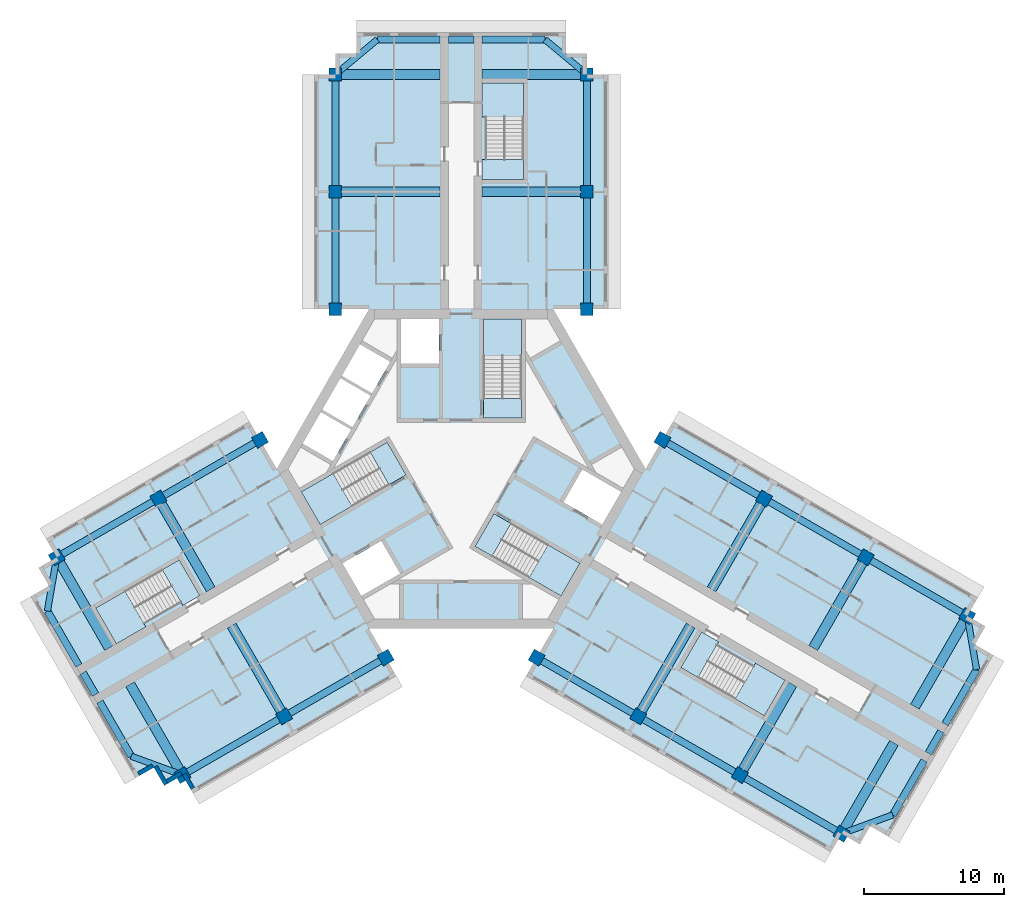
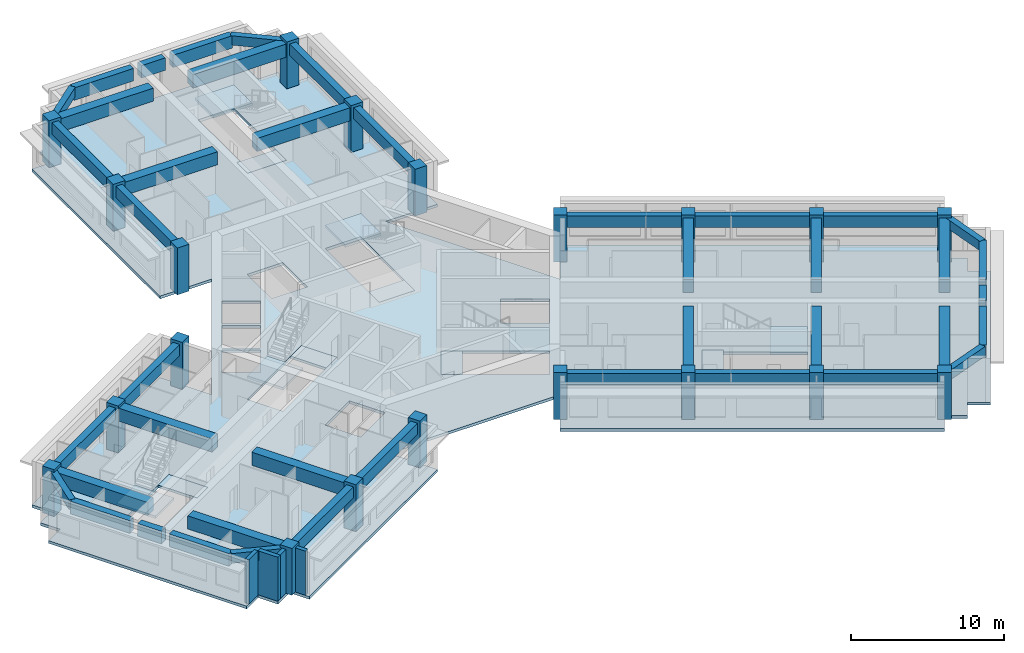
# One storey, part 1 of 10: 43 beams, 20 columns, 13 slabs, 4 walls, 6 elements without a shape of their own.
"""IFC4 building model written with IfcOpenShell, lengths in metres."""

import ifcopenshell
import ifcopenshell.guid

model = None  # the IFC model being written
_history = None  # IfcOwnerHistory: only IFC2X3 demands one
_inside = {}  # id of a spatial element -> (the spatial element, [elements in it])
_under = {}  # id of a project, library or spatial element -> (it, [spatial elements below it])
_declared = {}  # id of a project -> (the project, [libraries it declares])
_typed = {}  # id of a type object -> (the type object, [elements of that type])
_made_of = {}  # id of a material, layer set ... -> (it, [elements and type objects made of it])


def new_model(schema):
    """Start an empty IFC model of exactly this schema.

    Asked for "IFC4X3", IfcOpenShell would pick the latest addendum, in which some entities
    have other attributes; the version numbers below select the first issue.
    IFC2X3 requires an IfcOwnerHistory on every rooted entity: one is made here for all.
    """
    global model, _history
    if schema == "IFC4X3":
        model = ifcopenshell.file(schema_version=(4, 3, 0, 0))
    else:
        model = ifcopenshell.file(schema=schema)
    _inside.clear()
    _under.clear()
    _declared.clear()
    _typed.clear()
    _made_of.clear()
    _history = None
    if model.schema == "IFC2X3":
        org = make("IfcOrganization", Name="unknown")
        user = make(
            "IfcPersonAndOrganization",
            ThePerson=make("IfcPerson", FamilyName="unknown"),
            TheOrganization=org,
        )
        app = make(
            "IfcApplication",
            ApplicationDeveloper=org,
            Version="unknown",
            ApplicationFullName="unknown",
            ApplicationIdentifier="unknown",
        )
        _history = make(
            "IfcOwnerHistory",
            OwningUser=user,
            OwningApplication=app,
            ChangeAction="ADDED",
            CreationDate=0,
        )
    return model


def make(cls, **values):
    """One entity of the class cls with the attributes given. An attribute that is None is left unset."""
    return model.create_entity(
        cls, **{name: value for name, value in values.items() if value is not None}
    )


def rooted(cls, **values):
    """An entity with a GlobalId (a new one), such as an element, a storey or a relation."""
    return make(cls, GlobalId=ifcopenshell.guid.new(), OwnerHistory=_history, **values)


def si_unit(unit_type, name, prefix=None):
    """IfcSIUnit, for example si_unit("LENGTHUNIT", "METRE", prefix="MILLI")."""
    return make("IfcSIUnit", UnitType=unit_type, Prefix=prefix, Name=name)


def assignment(units):
    """IfcUnitAssignment: the units of a project."""
    return None if units is None else make("IfcUnitAssignment", Units=units)


def point(xyz):
    """IfcCartesianPoint."""
    return None if xyz is None else make("IfcCartesianPoint", Coordinates=xyz)


def direction(xyz):
    """IfcDirection."""
    return None if xyz is None else make("IfcDirection", DirectionRatios=xyz)


def frame(location, z_axis=None, x_axis=None):
    """IfcAxis2Placement3D, a coordinate frame: its origin and axes. An axis left out is left unset."""
    return make(
        "IfcAxis2Placement3D",
        Location=point(location),
        Axis=direction(z_axis),
        RefDirection=direction(x_axis),
    )


def frame_2d(location, x_axis=None):
    """IfcAxis2Placement2D, a coordinate frame in the plane: its origin and x axis."""
    return make(
        "IfcAxis2Placement2D", Location=point(location), RefDirection=direction(x_axis)
    )


def origin():
    """The frame at (0, 0, 0) with its axes left unset."""
    return frame((0.0, 0.0, 0.0))


def origin_2d():
    """The frame at (0, 0) in the plane with its x axis left unset."""
    return frame_2d((0.0, 0.0))


def place(relative_to, where):
    """IfcLocalPlacement: puts the frame where relative to a parent placement (None: the world)."""
    return make(
        "IfcLocalPlacement", PlacementRelTo=relative_to, RelativePlacement=where
    )


def context(
    kind, dimensions, precision=None, world=None, true_north=None, identifier=None
):
    """IfcGeometricRepresentationContext, for example the 3D "Model" context."""
    return make(
        "IfcGeometricRepresentationContext",
        ContextIdentifier=identifier,
        ContextType=kind,
        CoordinateSpaceDimension=dimensions,
        Precision=precision,
        WorldCoordinateSystem=world,
        TrueNorth=true_north,
    )


def subcontext(parent, identifier, kind, view, scale=None):
    """IfcGeometricRepresentationSubContext, for example "Body" below "Model"."""
    return make(
        "IfcGeometricRepresentationSubContext",
        ContextIdentifier=identifier,
        ContextType=kind,
        ParentContext=parent,
        TargetScale=scale,
        TargetView=view,
    )


def project(units=None, contexts=None):
    """IfcProject with its units and contexts."""
    return rooted(
        "IfcProject",
        Name="project",
        RepresentationContexts=contexts,
        UnitsInContext=assignment(units),
    )


def spatial(cls, under=None, at=None, **own):
    """A site, building, storey or space (cls), placed at a placement, below another one or the project."""
    s = rooted(cls, ObjectPlacement=at, **own)
    if under is not None:
        _under.setdefault(under.id(), (under, []))[1].append(s)
    return s


def polyline(points):
    """IfcPolyline through the points."""
    return make("IfcPolyline", Points=[point(p) for p in points])


def profile(cls, at=None, kind="AREA", **sizes):
    """A parametric profile (cls). Its sizes go by their IFC names, for example OverallWidth=200.0."""
    return make(cls, ProfileType=kind, Position=at, **sizes)


def rectangle(**sizes):
    """IfcRectangleProfileDef."""
    return profile("IfcRectangleProfileDef", **sizes)


def outline(outer, holes=None, kind="AREA"):
    """IfcArbitraryClosedProfileDef: a profile drawn as a closed curve; with holes, ...WithVoids."""
    if holes is None:
        return make("IfcArbitraryClosedProfileDef", ProfileType=kind, OuterCurve=outer)
    return make(
        "IfcArbitraryProfileDefWithVoids",
        ProfileType=kind,
        OuterCurve=outer,
        InnerCurves=holes,
    )


def extrude(swept, where, along, depth):
    """IfcExtrudedAreaSolid: the profile swept, set in the frame where, extruded along a direction by depth."""
    return make(
        "IfcExtrudedAreaSolid",
        SweptArea=swept,
        Position=where,
        ExtrudedDirection=direction(along),
        Depth=depth,
    )


def shape(context_of_items, identifier, shape_type, items):
    """IfcShapeRepresentation: the items that make up one representation, for example the "Body"."""
    return make(
        "IfcShapeRepresentation",
        ContextOfItems=context_of_items,
        RepresentationIdentifier=identifier,
        RepresentationType=shape_type,
        Items=items,
    )


def material(Name=None, Category=None):
    """IfcMaterial."""
    return make("IfcMaterial", Name=Name, Category=Category)


def layer(
    of_material, thickness, ventilated=None, Name=None, Category=None, Priority=None
):
    """IfcMaterialLayer: one layer of a wall or slab, of a material (None: an air gap)."""
    return make(
        "IfcMaterialLayer",
        Material=of_material,
        LayerThickness=thickness,
        IsVentilated=ventilated,
        Name=Name,
        Category=Category,
        Priority=Priority,
    )


def layer_set(layers, Name=None):
    """IfcMaterialLayerSet."""
    return make("IfcMaterialLayerSet", MaterialLayers=layers, LayerSetName=Name)


def material_profile(
    of_material, cross_section, Name=None, Category=None, Priority=None
):
    """IfcMaterialProfile: a cross section and its material."""
    return make(
        "IfcMaterialProfile",
        Name=Name,
        Material=of_material,
        Profile=cross_section,
        Priority=Priority,
        Category=Category,
    )


def profile_set(profiles, Name=None, composite=None):
    """IfcMaterialProfileSet."""
    return make(
        "IfcMaterialProfileSet",
        Name=Name,
        MaterialProfiles=profiles,
        CompositeProfile=composite,
    )


def made_of(thing, what):
    """Note that an element or type object is made of a material, layer set ...; save() writes the relation."""
    if what is not None:
        _made_of.setdefault(what.id(), (what, []))[1].append(thing)
    return thing


def type_object(cls, material=None, **own):
    """A type object (cls), such as IfcWallType, which elements share."""
    return made_of(rooted(cls, **own), material)


def element(
    cls,
    number,
    at=None,
    inside=None,
    cuts=None,
    type_object=None,
    material=None,
    context=None,
    identifier="Body",
    shape_type=None,
    held_by="IfcProductDefinitionShape",
    body=None,
    shapes=None,
    **own,
):
    """One element of the class cls, such as IfcWall. Its Tag is "e" and its number.

    at: its placement. inside: the storey or other place that contains it. cuts: it is an
    opening in that element (IfcRelVoidsElement). A single representation is given by context,
    identifier, shape_type and body (its items); several are given by shapes. held_by: the class
    of the entity that holds the representations. save() writes the other relations.
    """
    e = rooted(cls, Tag="e%d" % number, ObjectPlacement=at, **own)
    if body is not None:
        shapes = [shape(context, identifier, shape_type, body)]
    if shapes is not None:
        e.Representation = make(held_by, Representations=shapes)
    if inside is not None:
        _inside.setdefault(inside.id(), (inside, []))[1].append(e)
    if cuts is not None:
        rooted(
            "IfcRelVoidsElement", RelatingBuildingElement=cuts, RelatedOpeningElement=e
        )
    if type_object is not None:
        _typed.setdefault(type_object.id(), (type_object, []))[1].append(e)
    return made_of(e, material)


def aggregate(whole, parts):
    """IfcRelAggregates: a whole, such as a stair, and the parts it consists of."""
    return rooted("IfcRelAggregates", RelatingObject=whole, RelatedObjects=parts)


def save(model, path):
    """Write the relations noted so far, then the file.

    IfcRelAggregates (storeys below a building ...), IfcRelContainedInSpatialStructure (elements
    in a storey), IfcRelDefinesByType, IfcRelAssociatesMaterial and IfcRelDeclares: one each for
    every whole, place, type object, material and project.
    """
    for whole, parts in _under.values():
        aggregate(whole, parts)
    for where, things in _inside.values():
        rooted(
            "IfcRelContainedInSpatialStructure",
            RelatedElements=things,
            RelatingStructure=where,
        )
    for kind, things in _typed.values():
        rooted("IfcRelDefinesByType", RelatedObjects=things, RelatingType=kind)
    for what, things in _made_of.values():
        rooted("IfcRelAssociatesMaterial", RelatedObjects=things, RelatingMaterial=what)
    for by, libraries in _declared.values():
        rooted("IfcRelDeclares", RelatingContext=by, RelatedDefinitions=libraries)
    model.write(path)


model = new_model("IFC4")

# Units and contexts
model_context = context("Model", 3, precision=1e-05, world=origin(), true_north=direction((0.0, 1.0)))
body_context = subcontext(model_context, "Body", "Model", "MODEL_VIEW")
ifc_project = project(units=[si_unit("LENGTHUNIT", "METRE"), si_unit("AREAUNIT", "SQUARE_METRE"), si_unit("VOLUMEUNIT", "CUBIC_METRE"), si_unit("PLANEANGLEUNIT", "RADIAN"), si_unit("MASSUNIT", "GRAM", prefix="KILO")], contexts=[model_context])

# Site, building, storey
site_placement = place(None, origin())
site = spatial("IfcSite", under=ifc_project, at=site_placement, CompositionType="ELEMENT")
building_placement = place(site_placement, origin())
building = spatial("IfcBuilding", under=site, at=building_placement, Name="Impinga Residences", CompositionType="ELEMENT")
storey_placement = place(building_placement, frame((0.0, 0.0, 222.25)))
storey = spatial("IfcBuildingStorey", under=building, at=storey_placement, Name="L55", CompositionType="ELEMENT", Elevation=222.25)

# Columns
ifc_material_1 = material(Name="Concrete C60/75", Category="concrete")
ifc_material_profile_1 = material_profile(ifc_material_1, rectangle(XDim=0.89990234375, YDim=0.89990234375, at=origin_2d()), Name="RC 900x900")
ifc_profile_set_1 = profile_set([ifc_material_profile_1], Name="Concrete C60/75")
column_type = type_object("IfcColumnType", Name="C4 900x900 column", PredefinedType="COLUMN", material=ifc_profile_set_1)
for number, where, z_axis, x_axis, name in (
    (1, (-9.0, 11.431640625, 0.0), (0.0, 0.0, 1.0), (1.0, 0.0, 0.0), "Column C4 N1/NA L55"),
    (2, (9.0, 11.431640625, 0.0), (0.0, 0.0, 1.0), (1.0, 0.0, 0.0), "Column C4 N1/NF L55"),
    (3, (-9.0, 19.83154296875, 0.0), (0.0, 0.0, 1.0), (1.0, 0.0, 0.0), "Column C4 N2/NA L55"),
    (4, (9.0, 19.83154296875, 0.0), (0.0, 0.0, 1.0), (1.0, 0.0, 0.0), "Column C4 N2/NF L55"),
    (5, (-9.0, 28.2314453125, 0.0), (0.0, 0.0, 1.0), (1.0, 0.0, 0.0), "Column C4 N3/NA L55"),
    (6, (9.0, 28.2314453125, 0.0), (0.0, 0.0, 1.0), (1.0, 0.0, 0.0), "Column C4 N3/NF L55"),
    (7, (-5.39990234375, -13.510009765625, 0.0), (0.0, 0.0, 1.0), (-0.5, 0.866025403784, 0.0), "Column C4 W1/WA L55"),
    (8, (-14.39990234375, 2.078369140625, 0.0), (0.0, 0.0, 1.0), (-0.5, 0.866025403784, 0.0), "Column C4 W1/WF L55"),
    (9, (-12.674560546875, -17.7099609375, 0.0), (0.0, 0.0, 1.0), (-0.5, 0.866025403784, 0.0), "Column C4 W2/WA L55"),
    (10, (-21.674560546875, -2.12158203125, 0.0), (0.0, 0.0, 1.0), (-0.5, 0.866025403784, 0.0), "Column C4 W2/WF L55"),
    (11, (-19.94921875, -21.909912109375, 0.0), (0.0, 0.0, 1.0), (-0.5, 0.866025403784, 0.0), "Column C4 W3/WA L55"),
    (12, (-28.94921875, -6.321533203125, 0.0), (0.0, 0.0, 1.0), (-0.5, 0.866025403784, 0.0), "Column C4 W3/WF L55"),
    (13, (14.39990234375, 2.078369140625, 0.0), (0.0, 0.0, 1.0), (-0.5, -0.866025403784, 0.0), "Column C4 E1/EA L55"),
    (14, (5.39990234375, -13.510009765625, 0.0), (0.0, 0.0, 1.0), (-0.5, -0.866025403784, 0.0), "Column C4 E1/EF L55"),
    (15, (21.674560546875, -2.12158203125, 0.0), (0.0, 0.0, 1.0), (-0.5, -0.866025403784, 0.0), "Column C4 E2/EA L55"),
    (16, (12.674560546875, -17.7099609375, 0.0), (0.0, 0.0, 1.0), (-0.5, -0.866025403784, 0.0), "Column C4 E2/EF L55"),
    (17, (28.94921875, -6.321533203125, 0.0), (0.0, 0.0, 1.0), (-0.5, -0.866025403784, 0.0), "Column C4 E3/EA L55"),
    (18, (19.94921875, -21.909912109375, 0.0), (0.0, 0.0, 1.0), (-0.5, -0.866025403784, 0.0), "Column C4 E3/EF L55"),
    (19, (36.223876953125, -10.521484375, 0.0), (0.0, 0.0, 1.0), (-0.5, -0.866025403784, 0.0), "Column C4 E4/EA L55"),
    (20, (27.223876953125, -26.110107421875, 0.0), (0.0, 0.0, 1.0), (-0.5, -0.866025403784, 0.0), "Column C4 E4/EF L55"),
):
    element("IfcColumn", number, at=place(storey_placement, frame(where, z_axis=z_axis, x_axis=x_axis)), inside=storey, type_object=column_type, Name=name, PredefinedType="COLUMN", context=body_context, shape_type="SweptSolid", body=[
        extrude(rectangle(XDim=0.89990234375, YDim=0.89990234375, at=origin_2d()), origin(), (0.0, 0.0, 1.0), 3.75),
    ])

# Beams
ifc_material_profile_2 = material_profile(ifc_material_1, rectangle(XDim=0.449951171875, YDim=0.75, at=origin_2d()), Name="RC 450x750")
ifc_profile_set_2 = profile_set([ifc_material_profile_2], Name="Concrete C60/75")
beam_type_1 = type_object("IfcBeamType", Name="CB1 450x750 wing end cantilever beam", PredefinedType="BEAM", material=ifc_profile_set_2)
for number, where, z_axis, x_axis, name in (
    (21, (-9.0, 28.2314453125, 3.155029296875), (0.768221279597, 0.640184399664, 0.0), (-0.640184399664, 0.768221279597, 0.0), "Beam CB1 NB N3-NX level L56"),
    (22, (9.0, 28.2314453125, 3.155029296875), (-0.768221279597, 0.640184399664, 0.0), (-0.640184399664, -0.768221279597, 0.0), "Beam CB1 NE N3-NX level L56"),
    (23, (-19.94921875, -21.909912109375, 3.155029296875), (-0.93854043338, 0.345169313396, 0.0), (-0.345169313396, -0.93854043338, 0.0), "Beam CB1 WB W3-WX level L56"),
):
    element("IfcBeam", number, at=place(storey_placement, frame(where, z_axis=z_axis, x_axis=x_axis)), inside=storey, type_object=beam_type_1, Name=name, PredefinedType="BEAM", context=body_context, shape_type="SweptSolid", body=[
        extrude(rectangle(XDim=0.449951171875, YDim=0.75, at=origin_2d()), origin(), (0.0, 0.0, 1.0), 3.905029296875),
    ])
for number, where, z_axis, x_axis, name in (
    (24, (-28.94921875, -6.321533203125, 3.155029296875), (-0.170296298948, -0.985392901621, 0.0), (0.985392901621, -0.170296298948, 0.0), "Beam CB1 WE W3-WX level L56"),
    (25, (36.223876953125, -10.521484375, 3.155029296875), (0.170296298948, -0.985392901621, 0.0), (0.985392901621, 0.170296298948, 0.0), "Beam CB1 EB E4-EX level L56"),
):
    element("IfcBeam", number, at=place(storey_placement, frame(where, z_axis=z_axis, x_axis=x_axis)), inside=storey, type_object=beam_type_1, Name=name, PredefinedType="BEAM", context=body_context, shape_type="SweptSolid", body=[
        extrude(rectangle(XDim=0.449951171875, YDim=0.75, at=origin_2d()), origin(), (0.0, 0.0, 1.0), 3.9052734375),
    ])
beam_1_placement = place(storey_placement, frame((27.223876953125, -26.110107421875, 3.155029296875), z_axis=(0.938520178725, 0.345224382289, 0.0), x_axis=(-0.345224382289, 0.938520178725, 0.0)))
element("IfcBeam", 26, at=beam_1_placement, inside=storey, type_object=beam_type_1, Name="Beam CB1 EE E4-EX level L56", PredefinedType="BEAM", context=body_context, shape_type="SweptSolid", body=[
    extrude(rectangle(XDim=0.449951171875, YDim=0.75, at=origin_2d()), origin(), (0.0, 0.0, 1.0), 3.905029296875),
])
ifc_material_profile_3 = material_profile(ifc_material_1, rectangle(XDim=0.699951171875, YDim=1.050048828125, at=origin_2d()), Name="RC 700x1050")
ifc_profile_set_3 = profile_set([ifc_material_profile_3], Name="Concrete C60/75")
beam_type_2 = type_object("IfcBeamType", Name="CG1 700x1050 cross girder on a wing bay line", PredefinedType="BEAM", material=ifc_profile_set_3)
for number, where, z_axis, x_axis, name in (
    (27, (-1.5, 19.83154296875, 3.0048828125), (-1.0, 0.0, 0.0), (0.0, -1.0, 0.0), "Beam CG1 N2 NC/NA level L56"),
    (28, (-1.5, 28.2314453125, 3.0048828125), (-1.0, 0.0, 0.0), (0.0, -1.0, 0.0), "Beam CG1 N3 NC/NA level L56"),
    (29, (1.5, 19.83154296875, 3.0048828125), (1.0, 0.0, 0.0), (0.0, 1.0, 0.0), "Beam CG1 N2 NC/NF level L56"),
    (30, (1.5, 28.2314453125, 3.0048828125), (1.0, 0.0, 0.0), (0.0, 1.0, 0.0), "Beam CG1 N3 NC/NF level L56"),
    (31, (-16.424560546875, -11.21484375, 3.0048828125), (0.500004234368, -0.866022959057, 0.0), (0.866022959057, 0.500004234368, 0.0), "Beam CG1 W2 WC/WA level L56"),
    (32, (-23.69921875, -15.414794921875, 3.0048828125), (0.500004234368, -0.866022959057, 0.0), (0.866022959057, 0.500004234368, 0.0), "Beam CG1 W3 WC/WA level L56"),
    (33, (-17.924560546875, -8.61669921875, 3.0048828125), (-0.500004234368, 0.866022959057, 0.0), (-0.866022959057, -0.500004234368, 0.0), "Beam CG1 W2 WC/WF level L56"),
    (34, (-25.19921875, -12.816650390625, 3.0048828125), (-0.500004234368, 0.866022959057, 0.0), (-0.866022959057, -0.500004234368, 0.0), "Beam CG1 W3 WC/WF level L56"),
    (35, (17.924560546875, -8.61669921875, 3.0048828125), (0.500004234368, 0.866022959057, 0.0), (-0.866022959057, 0.500004234368, 0.0), "Beam CG1 E2 EC/EA level L56"),
    (36, (25.19921875, -12.816650390625, 3.0048828125), (0.500004234368, 0.866022959057, 0.0), (-0.866022959057, 0.500004234368, 0.0), "Beam CG1 E3 EC/EA level L56"),
):
    element("IfcBeam", number, at=place(storey_placement, frame(where, z_axis=z_axis, x_axis=x_axis)), inside=storey, type_object=beam_type_2, Name=name, PredefinedType="BEAM", context=body_context, shape_type="SweptSolid", body=[
        extrude(rectangle(XDim=0.699951171875, YDim=1.050048828125, at=origin_2d()), origin(), (0.0, 0.0, 1.0), 7.5),
    ])
beam_2_placement = place(storey_placement, frame((32.473876953125, -17.016845703125, 3.0048828125), z_axis=(0.499990139034, 0.866031096941, 0.0), x_axis=(-0.866031096941, 0.499990139034, 0.0)))
element("IfcBeam", 37, at=beam_2_placement, inside=storey, type_object=beam_type_2, Name="Beam CG1 E4 EC/EA level L56", PredefinedType="BEAM", context=body_context, shape_type="SweptSolid", body=[
    extrude(rectangle(XDim=0.699951171875, YDim=1.050048828125, at=origin_2d()), origin(), (0.0, 0.0, 1.0), 7.500244140625),
])
for number, where, z_axis, x_axis, name in (
    (38, (16.424560546875, -11.21484375, 3.0048828125), (-0.500004234368, -0.866022959057, 0.0), (0.866022959057, -0.500004234368, 0.0), "Beam CG1 E2 EC/EF level L56"),
    (39, (23.69921875, -15.414794921875, 3.0048828125), (-0.500004234368, -0.866022959057, 0.0), (0.866022959057, -0.500004234368, 0.0), "Beam CG1 E3 EC/EF level L56"),
):
    element("IfcBeam", number, at=place(storey_placement, frame(where, z_axis=z_axis, x_axis=x_axis)), inside=storey, type_object=beam_type_2, Name=name, PredefinedType="BEAM", context=body_context, shape_type="SweptSolid", body=[
        extrude(rectangle(XDim=0.699951171875, YDim=1.050048828125, at=origin_2d()), origin(), (0.0, 0.0, 1.0), 7.5),
    ])
beam_3_placement = place(storey_placement, frame((30.973876953125, -19.61474609375, 3.0048828125), z_axis=(-0.499990139034, -0.866031096941, 0.0), x_axis=(0.866031096941, -0.499990139034, 0.0)))
element("IfcBeam", 40, at=beam_3_placement, inside=storey, type_object=beam_type_2, Name="Beam CG1 E4 EC/EF level L56", PredefinedType="BEAM", context=body_context, shape_type="SweptSolid", body=[
    extrude(rectangle(XDim=0.699951171875, YDim=1.050048828125, at=origin_2d()), origin(), (0.0, 0.0, 1.0), 7.500244140625),
])
ifc_material_profile_4 = material_profile(ifc_material_1, rectangle(XDim=0.5, YDim=1.0, at=origin_2d()), Name="RC 500x1000")
ifc_profile_set_4 = profile_set([ifc_material_profile_4], Name="Concrete C60/75")
beam_type_3 = type_object("IfcBeamType", Name="EB1 500x1000 wing end beam", PredefinedType="BEAM", material=ifc_profile_set_4)
beam_4_placement = place(storey_placement, frame((-6.0, 30.7314453125, 3.030029296875), z_axis=(1.0, 0.0, 0.0), x_axis=(0.0, 1.0, 0.0)))
element("IfcBeam", 41, at=beam_4_placement, inside=storey, type_object=beam_type_3, Name="Beam EB1 NX2 level L56", PredefinedType="BEAM", context=body_context, shape_type="SweptSolid", body=[
    extrude(rectangle(XDim=0.5, YDim=1.0, at=origin_2d()), origin(), (0.0, 0.0, 1.0), 4.5),
])
beam_5_placement = place(storey_placement, frame((-0.89990234375, 30.7314453125, 3.030029296875), z_axis=(1.0, 0.0, 0.0), x_axis=(0.0, 1.0, 0.0)))
element("IfcBeam", 42, at=beam_5_placement, inside=storey, type_object=beam_type_3, Name="Beam EB1 NX2 level L56", PredefinedType="BEAM", context=body_context, shape_type="SweptSolid", body=[
    extrude(rectangle(XDim=0.5, YDim=1.0, at=origin_2d()), origin(), (0.0, 0.0, 1.0), 1.7998046875),
])
for number, where, z_axis, x_axis, name in (
    (43, (1.5, 30.7314453125, 3.030029296875), (1.0, 0.0, 0.0), (0.0, 1.0, 0.0), "Beam EB1 NX2 level L56"),
    (44, (-23.6142578125, -20.56201171875, 3.030029296875), (-0.499990139034, 0.866031096941, 0.0), (-0.866031096941, -0.499990139034, 0.0), "Beam EB1 WX2 level L56"),
):
    element("IfcBeam", number, at=place(storey_placement, frame(where, z_axis=z_axis, x_axis=x_axis)), inside=storey, type_object=beam_type_3, Name=name, PredefinedType="BEAM", context=body_context, shape_type="SweptSolid", body=[
        extrude(rectangle(XDim=0.5, YDim=1.0, at=origin_2d()), origin(), (0.0, 0.0, 1.0), 4.5),
    ])
beam_6_placement = place(storey_placement, frame((-26.164306640625, -16.145263671875, 3.030029296875), z_axis=(-0.499961193289, 0.866047807691, 0.0), x_axis=(-0.866047807691, -0.499961193289, 0.0)))
element("IfcBeam", 45, at=beam_6_placement, inside=storey, type_object=beam_type_3, Name="Beam EB1 WX2 level L56", PredefinedType="BEAM", context=body_context, shape_type="SweptSolid", body=[
    extrude(rectangle(XDim=0.5, YDim=1.0, at=origin_2d()), origin(), (0.0, 0.0, 1.0), 1.800048828125),
])
beam_7_placement = place(storey_placement, frame((-27.3642578125, -14.066650390625, 3.030029296875), z_axis=(-0.500013631625, 0.866017533419, 0.0), x_axis=(-0.866017533419, -0.500013631625, 0.0)))
element("IfcBeam", 46, at=beam_7_placement, inside=storey, type_object=beam_type_3, Name="Beam EB1 WX2 level L56", PredefinedType="BEAM", context=body_context, shape_type="SweptSolid", body=[
    extrude(rectangle(XDim=0.5, YDim=1.0, at=origin_2d()), origin(), (0.0, 0.0, 1.0), 4.499755859375),
])
beam_8_placement = place(storey_placement, frame((36.888916015625, -14.36962890625, 3.030029296875), z_axis=(-0.499990139034, -0.866031096941, 0.0), x_axis=(0.866031096941, -0.499990139034, 0.0)))
element("IfcBeam", 47, at=beam_8_placement, inside=storey, type_object=beam_type_3, Name="Beam EB1 EX3 level L56", PredefinedType="BEAM", context=body_context, shape_type="SweptSolid", body=[
    extrude(rectangle(XDim=0.5, YDim=1.0, at=origin_2d()), origin(), (0.0, 0.0, 1.0), 4.5),
])
beam_9_placement = place(storey_placement, frame((34.3388671875, -18.786376953125, 3.030029296875), z_axis=(-0.499961193289, -0.866047807691, 0.0), x_axis=(0.866047807691, -0.499961193289, 0.0)))
element("IfcBeam", 48, at=beam_9_placement, inside=storey, type_object=beam_type_3, Name="Beam EB1 EX3 level L56", PredefinedType="BEAM", context=body_context, shape_type="SweptSolid", body=[
    extrude(rectangle(XDim=0.5, YDim=1.0, at=origin_2d()), origin(), (0.0, 0.0, 1.0), 1.800048828125),
])
beam_10_placement = place(storey_placement, frame((33.138916015625, -20.86474609375, 3.030029296875), z_axis=(-0.499990139034, -0.866031096941, 0.0), x_axis=(0.866031096941, -0.499990139034, 0.0)))
element("IfcBeam", 49, at=beam_10_placement, inside=storey, type_object=beam_type_3, Name="Beam EB1 EX3 level L56", PredefinedType="BEAM", context=body_context, shape_type="SweptSolid", body=[
    extrude(rectangle(XDim=0.5, YDim=1.0, at=origin_2d()), origin(), (0.0, 0.0, 1.0), 4.5),
])
ifc_material_profile_5 = material_profile(ifc_material_1, rectangle(XDim=0.5, YDim=0.89990234375, at=origin_2d()), Name="RC 500x900")
ifc_profile_set_5 = profile_set([ifc_material_profile_5], Name="Concrete C60/75")
beam_type_4 = type_object("IfcBeamType", Name="SB1 500x900 perimeter spandrel beam", PredefinedType="SPANDREL", material=ifc_profile_set_5)
for number, where, z_axis, x_axis, name in (
    (50, (-9.0, 11.431640625, 3.080078125), (0.0, 1.0, 0.0), (-1.0, 0.0, 0.0), "Beam SB1 NA N1-N2 level L56"),
    (51, (-9.0, 19.83154296875, 3.080078125), (0.0, 1.0, 0.0), (-1.0, 0.0, 0.0), "Beam SB1 NA N2-N3 level L56"),
    (52, (9.0, 11.431640625, 3.080078125), (0.0, 1.0, 0.0), (-1.0, 0.0, 0.0), "Beam SB1 NF N1-N2 level L56"),
    (53, (9.0, 19.83154296875, 3.080078125), (0.0, 1.0, 0.0), (-1.0, 0.0, 0.0), "Beam SB1 NF N2-N3 level L56"),
    (54, (-5.39990234375, -13.510009765625, 3.080078125), (-0.86602925447, -0.499993330357, 0.0), (0.499993330357, -0.86602925447, 0.0), "Beam SB1 WA W1-W2 level L56"),
    (55, (-12.674560546875, -17.7099609375, 3.080078125), (-0.86602925447, -0.499993330357, 0.0), (0.499993330357, -0.86602925447, 0.0), "Beam SB1 WA W2-W3 level L56"),
    (56, (-14.39990234375, 2.078369140625, 3.080078125), (-0.86602925447, -0.499993330357, 0.0), (0.499993330357, -0.86602925447, 0.0), "Beam SB1 WF W1-W2 level L56"),
    (57, (-21.674560546875, -2.12158203125, 3.080078125), (-0.86602925447, -0.499993330357, 0.0), (0.499993330357, -0.86602925447, 0.0), "Beam SB1 WF W2-W3 level L56"),
    (58, (14.39990234375, 2.078369140625, 3.080078125), (0.86602925447, -0.499993330357, 0.0), (0.499993330357, 0.86602925447, 0.0), "Beam SB1 EA E1-E2 level L56"),
    (59, (21.674560546875, -2.12158203125, 3.080078125), (0.86602925447, -0.499993330357, 0.0), (0.499993330357, 0.86602925447, 0.0), "Beam SB1 EA E2-E3 level L56"),
    (60, (28.94921875, -6.321533203125, 3.080078125), (0.86602925447, -0.499993330357, 0.0), (0.499993330357, 0.86602925447, 0.0), "Beam SB1 EA E3-E4 level L56"),
    (61, (5.39990234375, -13.510009765625, 3.080078125), (0.86602925447, -0.499993330357, 0.0), (0.499993330357, 0.86602925447, 0.0), "Beam SB1 EF E1-E2 level L56"),
    (62, (12.674560546875, -17.7099609375, 3.080078125), (0.86602925447, -0.499993330357, 0.0), (0.499993330357, 0.86602925447, 0.0), "Beam SB1 EF E2-E3 level L56"),
):
    element("IfcBeam", number, at=place(storey_placement, frame(where, z_axis=z_axis, x_axis=x_axis)), inside=storey, type_object=beam_type_4, Name=name, PredefinedType="SPANDREL", context=body_context, shape_type="SweptSolid", body=[
        extrude(rectangle(XDim=0.5, YDim=0.89990234375, at=origin_2d()), origin(), (0.0, 0.0, 1.0), 8.39990234375),
    ])
beam_11_placement = place(storey_placement, frame((19.94921875, -21.909912109375, 3.080078125), z_axis=(0.866016669275, -0.500015128309, 0.0), x_axis=(0.500015128309, 0.866016669275, 0.0)))
element("IfcBeam", 63, at=beam_11_placement, inside=storey, type_object=beam_type_4, Name="Beam SB1 EF E3-E4 level L56", PredefinedType="SPANDREL", context=body_context, shape_type="SweptSolid", body=[
    extrude(rectangle(XDim=0.5, YDim=0.89990234375, at=origin_2d()), origin(), (0.0, 0.0, 1.0), 8.400146484375),
])

# Slab
ifc_layer_1 = layer(ifc_material_1, 0.219970703125)
ifc_layer_set_1 = layer_set([ifc_layer_1], Name="Concrete C60/75")
slab_type_1 = type_object("IfcSlabType", Name="FS1 tower floor slab 220", PredefinedType="FLOOR", material=ifc_layer_set_1)
slab_1_placement = place(storey_placement, frame((0.0, 0.0, -0.219970703125)))
element("IfcSlab", 64, at=slab_1_placement, inside=storey, type_object=slab_type_1, Name="Floor slab FS1 L55", PredefinedType="FLOOR", context=body_context, shape_type="SweptSolid", body=[
    extrude(outline(polyline([(36.223876953125, -10.521484375), (37.52294921875, -11.271484375), (36.77294921875, -12.570556640625), (38.072021484375, -13.320556640625), (30.572021484375, -26.31103515625), (29.27294921875, -25.56103515625), (28.52294921875, -26.860107421875), (27.223876953125, -26.110107421875), (26.473876953125, -27.408935546875), (4.64990234375, -14.80908203125), (9.900146484375, -5.7158203125), (6.60009765625, -11.431640625), (-6.60009765625, -11.431640625), (-9.900146484375, -5.7158203125), (-4.64990234375, -14.80908203125), (-19.19921875, -23.208984375), (-19.94921875, -21.909912109375), (-21.248291015625, -22.659912109375), (-21.998291015625, -21.36083984375), (-23.29736328125, -22.11083984375), (-30.79736328125, -9.12060546875), (-29.498291015625, -8.37060546875), (-30.248291015625, -7.071533203125), (-28.94921875, -6.321533203125), (-29.69921875, -5.0224609375), (-15.14990234375, 3.37744140625), (-13.199951171875, 0.0), (-6.60009765625, 11.431640625), (-10.5, 11.431640625), (-10.5, 28.2314453125), (-9.0, 28.2314453125), (-9.0, 29.7314453125), (-7.5, 29.7314453125), (-7.5, 31.2314453125), (7.5, 31.2314453125), (7.5, 29.7314453125), (9.0, 29.7314453125), (9.0, 28.2314453125), (10.5, 28.2314453125), (10.5, 11.431640625), (6.60009765625, 11.431640625), (13.199951171875, 0.0), (15.14990234375, 3.37744140625), (36.973876953125, -9.222412109375), (36.223876953125, -10.521484375)]), holes=[polyline([(-18.7041015625, -9.066650390625), (-18.8291015625, -8.850341796875), (-18.8291015625, -8.850341796875), (-20.178955078125, -6.511962890625), (-21.391357421875, -7.2119140625), (-21.391357421875, -7.2119140625), (-26.154541015625, -9.9619140625), (-24.8046875, -12.30029296875), (-20.04150390625, -9.55029296875), (-19.91650390625, -9.766845703125), (-18.7041015625, -9.066650390625)]), polyline([(-5.72119140625, -5.150634765625), (-8.493896484375, -6.75146484375), (-7.143798828125, -9.089599609375), (-4.37109375, -7.489013671875), (-5.72119140625, -5.150634765625)]), polyline([(-5.293701171875, 1.908935546875), (-11.44384765625, -1.641845703125), (-10.09375, -3.980224609375), (-3.943603515625, -0.429443359375), (-5.293701171875, 1.908935546875)]), polyline([(-7.878662109375, 2.816650390625), (-10.043701171875, 4.066650390625), (-11.34375, 1.81494140625), (-9.1787109375, 0.56494140625), (-7.878662109375, 2.816650390625)]), polyline([(-6.478759765625, 5.24169921875), (-8.643798828125, 6.49169921875), (-9.94384765625, 4.239990234375), (-7.77880859375, 2.989990234375), (-6.478759765625, 5.24169921875)]), polyline([(-6.378662109375, 5.414794921875), (-5.07861328125, 7.66650390625), (-7.243896484375, 8.91650390625), (-8.543701171875, 6.664794921875), (-6.378662109375, 5.414794921875)]), polyline([(-4.300048828125, 7.530029296875), (-1.60009765625, 7.530029296875), (-1.60009765625, 10.7314453125), (-4.300048828125, 10.7314453125), (-4.300048828125, 7.530029296875)]), polyline([(15.72900390625, -14.219482421875), (21.70458984375, -17.669677734375), (23.0546875, -15.331298828125), (18.29150390625, -12.581298828125), (18.41650390625, -12.36474609375), (17.2041015625, -11.664794921875), (15.72900390625, -14.219482421875)]), polyline([(0.99365234375, -5.538818359375), (7.143798828125, -9.089599609375), (8.493896484375, -6.75146484375), (2.34375, -3.20068359375), (0.99365234375, -5.538818359375)]), polyline([(7.3212890625, -2.37939453125), (10.09375, -3.980224609375), (11.44384765625, -1.641845703125), (8.671142578125, -0.041015625), (7.3212890625, -2.37939453125)]), polyline([(4.300048828125, 3.6298828125), (4.300048828125, 10.7314453125), (1.60009765625, 10.7314453125), (1.60009765625, 3.6298828125), (4.300048828125, 3.6298828125)]), polyline([(1.75, 22.131591796875), (1.5, 22.131591796875), (1.5, 20.7314453125), (1.75, 20.7314453125), (4.449951171875, 20.7314453125), (4.449951171875, 22.131591796875), (4.449951171875, 27.631591796875), (1.75, 27.631591796875), (1.75, 22.131591796875)])]), origin(), (0.0, 0.0, 1.0), 0.219970703125),
])

# Stair, slabs
ifc_material_2 = material(Name="Concrete C40/50", Category="concrete")
stair_type_1 = type_object("IfcStairType", Name="STR core stair 3750 storey, 24 risers", PredefinedType="HALF_TURN_STAIR", material=ifc_material_2)
stair_1_placement = place(storey_placement, origin())
stair_1 = element("IfcStair", 65, at=stair_1_placement, inside=storey, type_object=stair_type_1, Name="Stair ST1 L55", PredefinedType="HALF_TURN_STAIR")
ifc_layer_2 = layer(ifc_material_2, 0.199951171875)
ifc_layer_set_2 = layer_set([ifc_layer_2], Name="Concrete C40/50")
slab_type_2 = type_object("IfcSlabType", Name="LS1 stair landing 200", PredefinedType="LANDING", material=ifc_layer_set_2)
slab_2_placement = place(storey_placement, frame((0.0, 0.0, -0.199951171875)))
slab_2 = element("IfcSlab", 66, at=slab_2_placement, type_object=slab_type_2, Name="ST1 landing 1", PredefinedType="LANDING", context=body_context, shape_type="SweptSolid", body=[
    extrude(outline(polyline([(1.60009765625, 3.6298828125), (4.300048828125, 3.6298828125), (4.300048828125, 5.0400390625), (1.60009765625, 5.0400390625), (1.60009765625, 3.6298828125)])), origin(), (0.0, 0.0, 1.0), 0.199951171875),
])
slab_3_placement = place(storey_placement, frame((0.0, 0.0, 1.675048828125)))
slab_3 = element("IfcSlab", 67, at=slab_3_placement, type_object=slab_type_2, Name="ST1 landing 2", PredefinedType="LANDING", context=body_context, shape_type="SweptSolid", body=[
    extrude(outline(polyline([(1.60009765625, 8.10009765625), (4.300048828125, 8.10009765625), (4.300048828125, 10.7314453125), (1.60009765625, 10.7314453125), (1.60009765625, 8.10009765625)])), origin(), (0.0, 0.0, 1.0), 0.199951171875),
])
aggregate(stair_1, [slab_2, slab_3])

stair_2_placement = place(storey_placement, origin())
stair_2 = element("IfcStair", 68, at=stair_2_placement, inside=storey, type_object=stair_type_1, Name="Stair ST2 L55", PredefinedType="HALF_TURN_STAIR")
slab_4_placement = place(storey_placement, frame((0.0, 0.0, -0.199951171875)))
slab_4 = element("IfcSlab", 69, at=slab_4_placement, type_object=slab_type_2, Name="ST2 landing 1", PredefinedType="LANDING", context=body_context, shape_type="SweptSolid", body=[
    extrude(outline(polyline([(-3.943603515625, -0.429443359375), (-5.293701171875, 1.908935546875), (-6.5146484375, 1.203857421875), (-5.164794921875, -1.13427734375), (-3.943603515625, -0.429443359375)])), origin(), (0.0, 0.0, 1.0), 0.199951171875),
])
slab_5_placement = place(storey_placement, frame((0.0, 0.0, 1.675048828125)))
slab_5 = element("IfcSlab", 70, at=slab_5_placement, type_object=slab_type_2, Name="ST2 landing 2", PredefinedType="LANDING", context=body_context, shape_type="SweptSolid", body=[
    extrude(outline(polyline([(-7.814697265625, -2.664306640625), (-9.164794921875, -0.326171875), (-11.44384765625, -1.641845703125), (-10.09375, -3.980224609375), (-7.814697265625, -2.664306640625)])), origin(), (0.0, 0.0, 1.0), 0.199951171875),
])
aggregate(stair_2, [slab_4, slab_5])

stair_3_placement = place(storey_placement, origin())
stair_3 = element("IfcStair", 71, at=stair_3_placement, inside=storey, type_object=stair_type_1, Name="Stair ST3 L55", PredefinedType="HALF_TURN_STAIR")
slab_6_placement = place(storey_placement, frame((0.0, 0.0, -0.199951171875)))
slab_6 = element("IfcSlab", 72, at=slab_6_placement, type_object=slab_type_2, Name="ST3 landing 1", PredefinedType="LANDING", context=body_context, shape_type="SweptSolid", body=[
    extrude(outline(polyline([(2.34375, -3.20068359375), (0.99365234375, -5.538818359375), (2.21484375, -6.243896484375), (3.564697265625, -3.90576171875), (2.34375, -3.20068359375)])), origin(), (0.0, 0.0, 1.0), 0.199951171875),
])
slab_7_placement = place(storey_placement, frame((0.0, 0.0, 1.675048828125)))
slab_7 = element("IfcSlab", 73, at=slab_7_placement, type_object=slab_type_2, Name="ST3 landing 2", PredefinedType="LANDING", context=body_context, shape_type="SweptSolid", body=[
    extrude(outline(polyline([(6.21484375, -5.435546875), (4.86474609375, -7.77392578125), (7.143798828125, -9.089599609375), (8.493896484375, -6.75146484375), (6.21484375, -5.435546875)])), origin(), (0.0, 0.0, 1.0), 0.199951171875),
])
aggregate(stair_3, [slab_6, slab_7])

stair_type_2 = type_object("IfcStairType", Name="STR wing stair 3750 storey, 24 risers", PredefinedType="HALF_TURN_STAIR", material=ifc_material_2)
stair_4_placement = place(storey_placement, origin())
stair_4 = element("IfcStair", 74, at=stair_4_placement, inside=storey, type_object=stair_type_2, Name="Stair WS1 L55", PredefinedType="HALF_TURN_STAIR")
slab_8_placement = place(storey_placement, frame((0.0, 0.0, -0.199951171875)))
slab_8 = element("IfcSlab", 75, at=slab_8_placement, type_object=slab_type_2, Name="WS1 landing 1", PredefinedType="LANDING", context=body_context, shape_type="SweptSolid", body=[
    extrude(outline(polyline([(1.5, 20.7314453125), (4.449951171875, 20.7314453125), (4.449951171875, 22.1416015625), (1.5, 22.1416015625), (1.5, 20.7314453125)])), origin(), (0.0, 0.0, 1.0), 0.199951171875),
])
slab_9_placement = place(storey_placement, frame((0.0, 0.0, 1.675048828125)))
slab_9 = element("IfcSlab", 76, at=slab_9_placement, type_object=slab_type_2, Name="WS1 landing 2", PredefinedType="LANDING", context=body_context, shape_type="SweptSolid", body=[
    extrude(outline(polyline([(1.5, 25.201416015625), (4.449951171875, 25.201416015625), (4.449951171875, 27.631591796875), (1.5, 27.631591796875), (1.5, 25.201416015625)])), origin(), (0.0, 0.0, 1.0), 0.199951171875),
])
aggregate(stair_4, [slab_8, slab_9])

stair_5_placement = place(storey_placement, origin())
stair_5 = element("IfcStair", 77, at=stair_5_placement, inside=storey, type_object=stair_type_2, Name="Stair WS2 L55", PredefinedType="HALF_TURN_STAIR")
slab_10_placement = place(storey_placement, frame((0.0, 0.0, -0.199951171875)))
slab_10 = element("IfcSlab", 78, at=slab_10_placement, type_object=slab_type_2, Name="WS2 landing 1", PredefinedType="LANDING", context=body_context, shape_type="SweptSolid", body=[
    extrude(outline(polyline([(-18.7041015625, -9.066650390625), (-20.178955078125, -6.511962890625), (-21.400146484375, -7.217041015625), (-19.925048828125, -9.771728515625), (-18.7041015625, -9.066650390625)])), origin(), (0.0, 0.0, 1.0), 0.199951171875),
])
slab_11_placement = place(storey_placement, frame((0.0, 0.0, 1.675048828125)))
slab_11 = element("IfcSlab", 79, at=slab_11_placement, type_object=slab_type_2, Name="WS2 landing 2", PredefinedType="LANDING", context=body_context, shape_type="SweptSolid", body=[
    extrude(outline(polyline([(-22.5751953125, -11.3017578125), (-24.050048828125, -8.7470703125), (-26.154541015625, -9.9619140625), (-24.6796875, -12.516845703125), (-22.5751953125, -11.3017578125)])), origin(), (0.0, 0.0, 1.0), 0.199951171875),
])
aggregate(stair_5, [slab_10, slab_11])

stair_6_placement = place(storey_placement, origin())
stair_6 = element("IfcStair", 80, at=stair_6_placement, inside=storey, type_object=stair_type_2, Name="Stair WS3 L55", PredefinedType="HALF_TURN_STAIR")
slab_12_placement = place(storey_placement, frame((0.0, 0.0, -0.199951171875)))
slab_12 = element("IfcSlab", 81, at=slab_12_placement, type_object=slab_type_2, Name="WS3 landing 1", PredefinedType="LANDING", context=body_context, shape_type="SweptSolid", body=[
    extrude(outline(polyline([(17.2041015625, -11.664794921875), (15.72900390625, -14.219482421875), (16.9501953125, -14.924560546875), (18.425048828125, -12.369873046875), (17.2041015625, -11.664794921875)])), origin(), (0.0, 0.0, 1.0), 0.199951171875),
])
slab_13_placement = place(storey_placement, frame((0.0, 0.0, 1.675048828125)))
slab_13 = element("IfcSlab", 82, at=slab_13_placement, type_object=slab_type_2, Name="WS3 landing 2", PredefinedType="LANDING", context=body_context, shape_type="SweptSolid", body=[
    extrude(outline(polyline([(21.0751953125, -13.89990234375), (19.60009765625, -16.45458984375), (21.70458984375, -17.669677734375), (23.1796875, -15.11474609375), (21.0751953125, -13.89990234375)])), origin(), (0.0, 0.0, 1.0), 0.199951171875),
])
aggregate(stair_6, [slab_12, slab_13])

# Walls
ifc_material_3 = material(Name="Terracotta rainscreen on blockwork", Category="masonry")
ifc_layer_3 = layer(ifc_material_3, 0.300048828125)
ifc_layer_set_3 = layer_set([ifc_layer_3], Name="EW1 external wall, terracotta rainscreen on blockwork 300")
wall_type = type_object("IfcWallType", Name="EW1 external wall, terracotta rainscreen on blockwork 300", PredefinedType="SOLIDWALL", material=ifc_layer_set_3)
wall_1_placement = place(storey_placement, frame((-19.21923828125, -22.874267578125, 0.0), z_axis=(0.0, 0.0, 1.0), x_axis=(-0.500033551112, 0.866006032174, 0.0)))
element("IfcWall", 83, at=wall_1_placement, inside=storey, type_object=wall_type, Name="External wall EW1 L55", PredefinedType="SOLIDWALL", context=body_context, shape_type="SweptSolid", body=[
    extrude(rectangle(XDim=1.2001953125, YDim=0.300048828125, at=frame_2d((0.60009765625, 0.0))), origin(), (0.0, 0.0, 1.0), 3.530029296875),
])
wall_2_placement = place(storey_placement, frame((-20.028564453125, -21.782470703125, 0.0), z_axis=(0.0, 0.0, 1.0), x_axis=(-0.865971243484, -0.500093796661, 0.0)))
element("IfcWall", 84, at=wall_2_placement, inside=storey, type_object=wall_type, Name="External wall EW1 L55", PredefinedType="SOLIDWALL", context=body_context, shape_type="SweptSolid", body=[
    extrude(rectangle(XDim=1.195068359375, YDim=0.300048828125, at=frame_2d((0.59765625, 0.0))), origin(), (0.0, 0.0, 1.0), 3.530029296875),
])
wall_3_placement = place(storey_placement, frame((-21.118408203125, -22.5849609375, 0.0), z_axis=(0.0, 0.0, 1.0), x_axis=(-0.499990139034, 0.866031096941, 0.0)))
element("IfcWall", 85, at=wall_3_placement, inside=storey, type_object=wall_type, Name="External wall EW1 L55", PredefinedType="SOLIDWALL", context=body_context, shape_type="SweptSolid", body=[
    extrude(rectangle(XDim=1.5, YDim=0.300048828125, at=frame_2d((0.75, 0.0))), origin(), (0.0, 0.0, 1.0), 3.530029296875),
])
wall_4_placement = place(storey_placement, frame((-22.07763671875, -21.233642578125, 0.0), z_axis=(0.0, 0.0, 1.0), x_axis=(-0.866059708757, -0.499940577336, 0.0)))
element("IfcWall", 86, at=wall_4_placement, inside=storey, type_object=wall_type, Name="External wall EW1 L55", PredefinedType="SOLIDWALL", context=body_context, shape_type="SweptSolid", body=[
    extrude(rectangle(XDim=1.195068359375, YDim=0.300048828125, at=frame_2d((0.59765625, 0.0))), origin(), (0.0, 0.0, 1.0), 3.530029296875),
])

save(model, "model.ifc")
